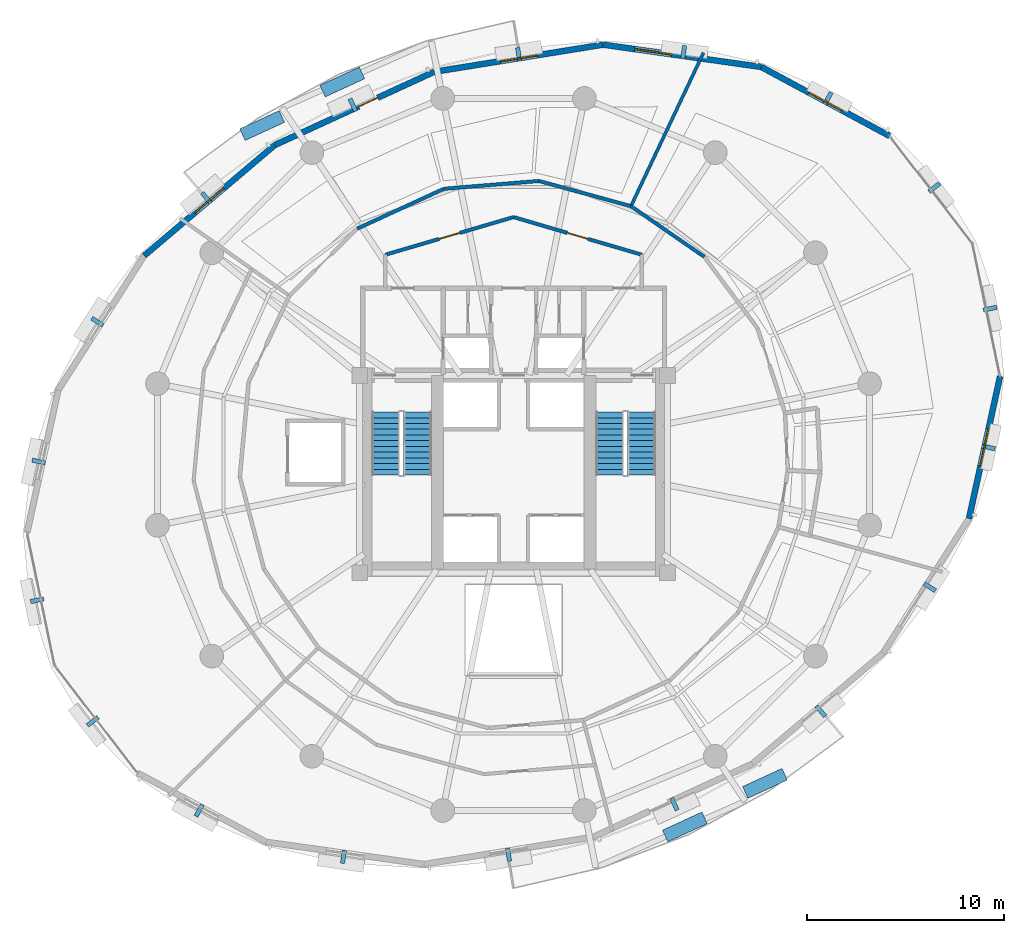
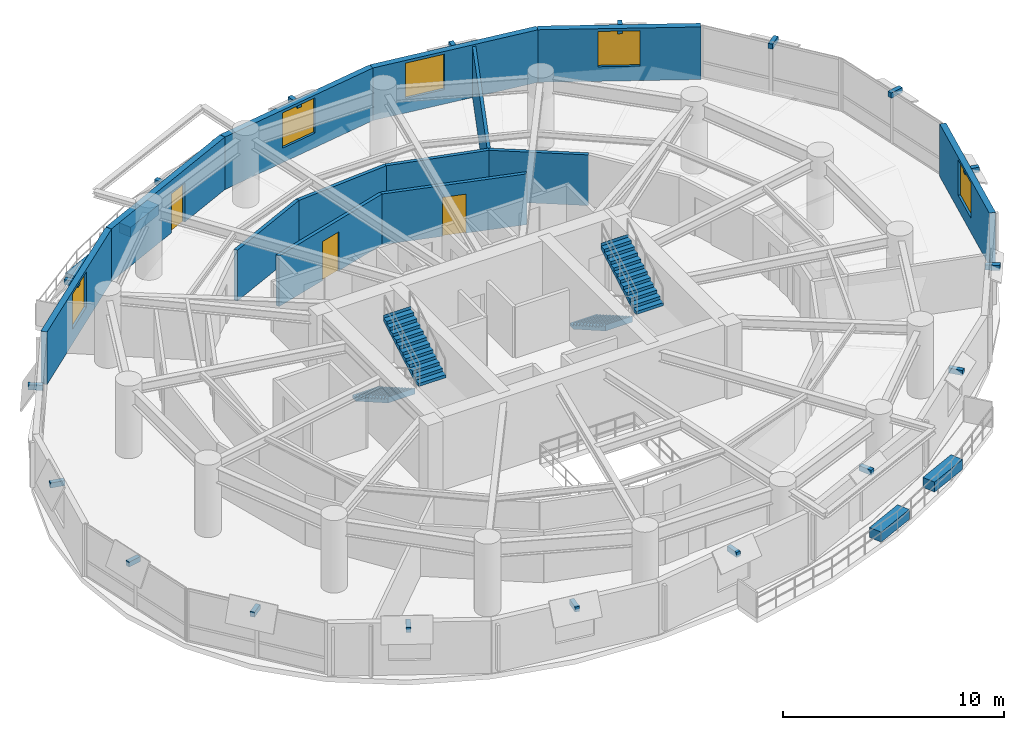
# One storey, part 12 of 14: 22 discrete accessories, 13 walls, 5 windows, 4 stair flights, 3 doors, 8 openings, 2 elements without a shape of their own.
"""IFC4 building model written with IfcOpenShell, lengths in metres."""

from ifc_helpers import new_model, si_unit, direction, frame, frame_2d, origin, origin_2d, place, context, subcontext, project, spatial, polyline, rectangle, outline, extrude, material, layer, layer_set, type_object, element, fill, aggregate, save


model = new_model("IFC4")

# Units and contexts
model_context = context("Model", 3, precision=1e-05, world=origin(), true_north=direction((0.0, 1.0)))
body_context = subcontext(model_context, "Body", "Model", "MODEL_VIEW")
ifc_project = project(units=[si_unit("LENGTHUNIT", "METRE"), si_unit("AREAUNIT", "SQUARE_METRE"), si_unit("VOLUMEUNIT", "CUBIC_METRE"), si_unit("PLANEANGLEUNIT", "RADIAN"), si_unit("MASSUNIT", "GRAM", prefix="KILO"), si_unit("THERMODYNAMICTEMPERATUREUNIT", "KELVIN"), si_unit("POWERUNIT", "WATT")], contexts=[model_context])

# Site, building, storey
site_placement = place(None, origin())
site = spatial("IfcSite", under=ifc_project, at=site_placement, CompositionType="ELEMENT")
building_placement = place(site_placement, origin())
building = spatial("IfcBuilding", under=site, at=building_placement, Name="Ocrelia Relay Tower", CompositionType="ELEMENT")
storey_placement = place(building_placement, frame((0.0, 0.0, 137.800048828125)))
storey = spatial("IfcBuildingStorey", under=building, at=storey_placement, Name="L32", CompositionType="ELEMENT", Elevation=137.800048828125)

# Wall, opening, door
ifc_material_1 = material(Name="Gypsum Fireboard Partition EI60", Category="gypsum")
ifc_layer_1 = layer(ifc_material_1, 0.179931640625, Name="Gypsum Fireboard Partition EI60")
ifc_layer_set_1 = layer_set([ifc_layer_1], Name="Gypsum Fireboard Partition EI60")
wall_type_1 = type_object("IfcWallType", Name="W-CORR-EI60-180", PredefinedType="PARTITIONING", material=ifc_layer_set_1)
wall_1_placement = place(storey_placement, frame((27.5, 36.122802734375, 0.0), z_axis=(0.0, 0.0, 1.0), x_axis=(0.959546654541, 0.281549671923, 0.0)))
wall_1 = element("IfcWall", 1, at=wall_1_placement, inside=storey, type_object=wall_type_1, Name="L32 North Smoke Lobby W Screen Wall", PredefinedType="PARTITIONING", context=body_context, shape_type="SweptSolid", body=[
    extrude(rectangle(XDim=6.77392578125, YDim=0.179931640625, at=frame_2d((3.386962890625, 0.0))), origin(), (0.0, 0.0, 1.0), 2.800048828125),
])
opening_1_placement = place(wall_1_placement, frame((2.8369140625, 0.0, 0.0)))
opening_1 = element("IfcOpeningElement", 2, at=opening_1_placement, cuts=wall_1, Name="Opening D-FD60", PredefinedType="OPENING", context=body_context, shape_type="SweptSolid", body=[
    extrude(rectangle(XDim=1.10009765625, YDim=2.14990234375, at=frame_2d((0.550048828125, 1.074951171875))), frame((0.0, 0.10009765625, 0.0), z_axis=(0.0, -1.0, 0.0), x_axis=(1.0, 0.0, 0.0)), (0.0, 0.0, 1.0), 0.199951171875),
])
ifc_material_2 = material(Name="Timber-core 60-min acoustic fire door", Category="wood")
door_type_1 = type_object("IfcDoorType", Name="DR-LOBBY-FD60-1100", OperationType="NOTDEFINED", PredefinedType="DOOR", material=ifc_material_2)
door_1_placement = place(opening_1_placement, origin())
door_1 = element("IfcDoor", 3, at=door_1_placement, inside=storey, type_object=door_type_1, Name="L32 North Smoke Lobby W Fire Door", OperationType="SINGLE_SWING_RIGHT", OverallHeight=2.14990234375, OverallWidth=1.10009765625, PredefinedType="DOOR", context=body_context, shape_type="SweptSolid", body=[
    extrude(rectangle(XDim=1.10009765625, YDim=2.14990234375, at=frame_2d((0.550048828125, 1.074951171875))), frame((0.0, 0.02490234375, 0.0), z_axis=(0.0, -1.0, 0.0), x_axis=(1.0, 0.0, 0.0)), (0.0, 0.0, 1.0), 0.050048828125),
])
fill(opening_1, door_1)

wall_2_placement = place(storey_placement, frame((34.0, 38.030029296875, 0.0), z_axis=(0.0, 0.0, 1.0), x_axis=(0.959546654541, -0.281549671923, 0.0)))
wall_2 = element("IfcWall", 4, at=wall_2_placement, inside=storey, type_object=wall_type_1, Name="L32 North Smoke Lobby E Screen Wall", PredefinedType="PARTITIONING", context=body_context, shape_type="SweptSolid", body=[
    extrude(rectangle(XDim=6.77392578125, YDim=0.179931640625, at=frame_2d((3.386962890625, 0.0))), origin(), (0.0, 0.0, 1.0), 2.800048828125),
])
opening_2_placement = place(wall_2_placement, frame((2.8369140625, 0.0, 0.0)))
opening_2 = element("IfcOpeningElement", 5, at=opening_2_placement, cuts=wall_2, Name="Opening D-FD60", PredefinedType="OPENING", context=body_context, shape_type="SweptSolid", body=[
    extrude(rectangle(XDim=1.10009765625, YDim=2.14990234375, at=frame_2d((0.550048828125, 1.074951171875))), frame((0.0, 0.10009765625, 0.0), z_axis=(0.0, -1.0, 0.0), x_axis=(1.0, 0.0, 0.0)), (0.0, 0.0, 1.0), 0.199951171875),
])
door_2_placement = place(opening_2_placement, origin())
door_2 = element("IfcDoor", 6, at=door_2_placement, inside=storey, type_object=door_type_1, Name="L32 North Smoke Lobby E Fire Door", OperationType="SINGLE_SWING_LEFT", OverallHeight=2.14990234375, OverallWidth=1.10009765625, PredefinedType="DOOR", context=body_context, shape_type="SweptSolid", body=[
    extrude(rectangle(XDim=1.10009765625, YDim=2.14990234375, at=frame_2d((0.550048828125, 1.074951171875))), frame((0.0, 0.02490234375, 0.0), z_axis=(0.0, -1.0, 0.0), x_axis=(1.0, 0.0, 0.0)), (0.0, 0.0, 1.0), 0.050048828125),
])
fill(opening_2, door_2)

# Walls
wall_3_placement = place(storey_placement, frame((43.663818359375, 36.018798828125, 0.0), z_axis=(0.0, 0.0, 1.0), x_axis=(-0.822820444468, 0.568301430726, 0.0)))
element("IfcWall", 7, at=wall_3_placement, inside=storey, type_object=wall_type_1, Name="L32 Shift Staff Lounge Corridor Partition 3", PredefinedType="PARTITIONING", context=body_context, shape_type="SweptSolid", body=[
    extrude(rectangle(XDim=4.51513671875, YDim=0.179931640625, at=frame_2d((2.257568359375, 0.0))), origin(), (0.0, 0.0, 1.0), 2.800048828125),
])
wall_4_placement = place(storey_placement, frame((39.94873046875, 38.584716796875, 0.0), z_axis=(0.0, 0.0, 1.0), x_axis=(-0.964543215503, 0.263924961737, 0.0)))
element("IfcWall", 8, at=wall_4_placement, inside=storey, type_object=wall_type_1, Name="L32 Optical Switching Hall A Corridor Partition 1", PredefinedType="PARTITIONING", context=body_context, shape_type="SweptSolid", body=[
    extrude(rectangle(XDim=4.834228515625, YDim=0.179931640625, at=frame_2d((2.4169921875, 0.0))), origin(), (0.0, 0.0, 1.0), 2.800048828125),
])
for number, where, z_axis, x_axis, name in (
    (9, (35.285888671875, 39.860595703125, 0.0), (0.0, 0.0, 1.0), (-0.996635375419, -0.081962970069, 0.0), "L32 Optical Switching Hall A Corridor Partition 2"),
    (10, (30.4677734375, 39.46435546875, 0.0), (0.0, 0.0, 1.0), (-0.90849812175, -0.417888935935, 0.0), "L32 Optical Switching Hall A Corridor Partition 3"),
):
    element("IfcWall", number, at=place(storey_placement, frame(where, z_axis=z_axis, x_axis=x_axis)), inside=storey, type_object=wall_type_1, Name=name, PredefinedType="PARTITIONING", context=body_context, shape_type="SweptSolid", body=[
        extrude(rectangle(XDim=4.83447265625, YDim=0.179931640625, at=frame_2d((2.417236328125, 0.0))), origin(), (0.0, 0.0, 1.0), 2.800048828125),
    ])

# Wall, opening, window
ifc_material_3 = material(Name="Precast concrete C40/50 with oxide terracotta", Category="masonry")
ifc_layer_2 = layer(ifc_material_3, 0.300048828125, Name="Precast concrete C40/50 with oxide terracotta")
ifc_layer_set_2 = layer_set([ifc_layer_2], Name="Precast concrete C40/50 with oxide terracotta")
wall_type_2 = type_object("IfcWallType", Name="W-EXT-TERR-300", PredefinedType="SOLIDWALL", material=ifc_layer_set_2)
wall_5_placement = place(storey_placement, frame((53.053955078125, 42.142578125, 0.0), z_axis=(0.0, 0.0, 1.0), x_axis=(-0.880640929012, 0.473784290736, 0.0)))
wall_5 = element("IfcWall", 11, at=wall_5_placement, inside=storey, type_object=wall_type_2, Name="L32 Oxide Terracotta Facade Wall 02", PredefinedType="SOLIDWALL", context=body_context, shape_type="SweptSolid", body=[
    extrude(rectangle(XDim=7.38330078125, YDim=0.300048828125, at=frame_2d((3.691650390625, 0.0))), origin(), (0.0, 0.0, 1.0), 2.89990234375),
])
opening_3_placement = place(wall_5_placement, frame((2.741943359375, 0.0, 0.800048828125)))
opening_3 = element("IfcOpeningElement", 12, at=opening_3_placement, cuts=wall_5, Name="Opening W-06", PredefinedType="OPENING", context=body_context, shape_type="SweptSolid", body=[
    extrude(rectangle(XDim=1.89990234375, YDim=1.949951171875, at=frame_2d((0.949951171875, 0.97509765625))), frame((0.0, 0.16015625, 0.0), z_axis=(0.0, -1.0, 0.0), x_axis=(1.0, 0.0, 0.0)), (0.0, 0.0, 1.0), 0.320068359375),
])
ifc_material_4 = material(Name="Clear double-glazed low-E glass", Category="glass")
window_type = type_object("IfcWindowType", Name="WIN-Z2-1900x2100", PartitioningType="DOUBLE_PANEL_VERTICAL", PredefinedType="WINDOW", material=ifc_material_4)
window_1_placement = place(opening_3_placement, origin())
window_1 = element("IfcWindow", 13, at=window_1_placement, inside=storey, type_object=window_type, Name="L32 Facade Module Window 02", OverallHeight=1.949951171875, OverallWidth=1.89990234375, PartitioningType="SINGLE_PANEL", PredefinedType="WINDOW", context=body_context, shape_type="SweptSolid", body=[
    extrude(rectangle(XDim=1.89990234375, YDim=1.949951171875, at=frame_2d((0.949951171875, 0.97509765625))), frame((0.0, 0.030029296875, 0.0), z_axis=(0.0, -1.0, 0.0), x_axis=(1.0, 0.0, 0.0)), (0.0, 0.0, 1.0), 0.06005859375),
])
fill(opening_3, window_1)

wall_6_placement = place(storey_placement, frame((46.552001953125, 45.640625, 0.0), z_axis=(0.0, 0.0, 1.0), x_axis=(-0.990224451803, 0.139483099518, 0.0)))
wall_6 = element("IfcWall", 14, at=wall_6_placement, inside=storey, type_object=wall_type_2, Name="L32 Oxide Terracotta Facade Wall 03", PredefinedType="SOLIDWALL", context=body_context, shape_type="SweptSolid", body=[
    extrude(rectangle(XDim=8.09521484375, YDim=0.300048828125, at=frame_2d((4.047607421875, 0.0))), origin(), (0.0, 0.0, 1.0), 2.89990234375),
])
opening_4_placement = place(wall_6_placement, frame((4.580078125, 0.0, 0.800048828125)))
opening_4 = element("IfcOpeningElement", 15, at=opening_4_placement, cuts=wall_6, Name="Opening W-06", PredefinedType="OPENING", context=body_context, shape_type="SweptSolid", body=[
    extrude(rectangle(XDim=1.89990234375, YDim=1.949951171875, at=frame_2d((0.949951171875, 0.97509765625))), frame((0.0, 0.16015625, 0.0), z_axis=(0.0, -1.0, 0.0), x_axis=(1.0, 0.0, 0.0)), (0.0, 0.0, 1.0), 0.320068359375),
])
window_2_placement = place(opening_4_placement, origin())
window_2 = element("IfcWindow", 16, at=window_2_placement, inside=storey, type_object=window_type, Name="L32 Facade Module Window 03", OverallHeight=1.949951171875, OverallWidth=1.89990234375, PartitioningType="SINGLE_PANEL", PredefinedType="WINDOW", context=body_context, shape_type="SweptSolid", body=[
    extrude(rectangle(XDim=1.89990234375, YDim=1.949951171875, at=frame_2d((0.949951171875, 0.97509765625))), frame((0.0, 0.030029296875, 0.0), z_axis=(0.0, -1.0, 0.0), x_axis=(1.0, 0.0, 0.0)), (0.0, 0.0, 1.0), 0.06005859375),
])
fill(opening_4, window_2)

wall_7_placement = place(storey_placement, frame((38.535888671875, 46.769775390625, 0.0), z_axis=(0.0, 0.0, 1.0), x_axis=(-0.987334308652, -0.158653594217, 0.0)))
wall_7 = element("IfcWall", 17, at=wall_7_placement, inside=storey, type_object=wall_type_2, Name="L32 Oxide Terracotta Facade Wall 04", PredefinedType="SOLIDWALL", context=body_context, shape_type="SweptSolid", body=[
    extrude(rectangle(XDim=8.6728515625, YDim=0.300048828125, at=frame_2d((4.33642578125, 0.0))), origin(), (0.0, 0.0, 1.0), 2.89990234375),
])
opening_5_placement = place(wall_7_placement, frame((3.385986328125, 0.0, 0.800048828125)))
opening_5 = element("IfcOpeningElement", 18, at=opening_5_placement, cuts=wall_7, Name="Opening W-06", PredefinedType="OPENING", context=body_context, shape_type="SweptSolid", body=[
    extrude(rectangle(XDim=1.89990234375, YDim=1.949951171875, at=frame_2d((0.949951171875, 0.97509765625))), frame((0.0, 0.16015625, 0.0), z_axis=(0.0, -1.0, 0.0), x_axis=(1.0, 0.0, 0.0)), (0.0, 0.0, 1.0), 0.320068359375),
])
window_3_placement = place(opening_5_placement, origin())
window_3 = element("IfcWindow", 19, at=window_3_placement, inside=storey, type_object=window_type, Name="L32 Facade Module Window 04", OverallHeight=1.949951171875, OverallWidth=1.89990234375, PartitioningType="SINGLE_PANEL", PredefinedType="WINDOW", context=body_context, shape_type="SweptSolid", body=[
    extrude(rectangle(XDim=1.89990234375, YDim=1.949951171875, at=frame_2d((0.949951171875, 0.97509765625))), frame((0.0, 0.030029296875, 0.0), z_axis=(0.0, -1.0, 0.0), x_axis=(1.0, 0.0, 0.0)), (0.0, 0.0, 1.0), 0.06005859375),
])
fill(opening_5, window_3)

# Wall, opening, door
wall_8_placement = place(storey_placement, frame((29.972900390625, 45.393798828125, 0.0), z_axis=(0.0, 0.0, 1.0), x_axis=(-0.908512345051, -0.417858012835, 0.0)))
wall_8 = element("IfcWall", 20, at=wall_8_placement, inside=storey, type_object=wall_type_2, Name="L32 Oxide Terracotta Facade Wall 05", PredefinedType="SOLIDWALL", context=body_context, shape_type="SweptSolid", body=[
    extrude(rectangle(XDim=8.890869140625, YDim=0.300048828125, at=frame_2d((4.4453125, 0.0))), origin(), (0.0, 0.0, 1.0), 2.89990234375),
])
opening_6_placement = place(wall_8_placement, frame((3.14990234375, 0.0, 0.0)))
opening_6 = element("IfcOpeningElement", 21, at=opening_6_placement, cuts=wall_8, Name="Opening DB-105", PredefinedType="OPENING", context=body_context, shape_type="SweptSolid", body=[
    extrude(rectangle(XDim=1.050048828125, YDim=2.14990234375, at=frame_2d((0.52490234375, 1.074951171875))), frame((0.0, 0.16015625, 0.0), z_axis=(0.0, -1.0, 0.0), x_axis=(1.0, 0.0, 0.0)), (0.0, 0.0, 1.0), 0.320068359375),
])
ifc_material_5 = material(Name="Thermally broken aluminium and clear glass", Category="aluminium")
door_type_2 = type_object("IfcDoorType", Name="DR-BALC-1050", OperationType="NOTDEFINED", PredefinedType="DOOR", material=ifc_material_5)
door_3_placement = place(opening_6_placement, origin())
door_3 = element("IfcDoor", 22, at=door_3_placement, inside=storey, type_object=door_type_2, Name="L32 Planted Loggia Balcony Door B1", OperationType="SINGLE_SWING_LEFT", OverallHeight=2.14990234375, OverallWidth=1.050048828125, PredefinedType="DOOR", context=body_context, shape_type="SweptSolid", body=[
    extrude(rectangle(XDim=1.050048828125, YDim=2.14990234375, at=frame_2d((0.52490234375, 1.074951171875))), frame((0.0, 0.02490234375, 0.0), z_axis=(0.0, -1.0, 0.0), x_axis=(1.0, 0.0, 0.0)), (0.0, 0.0, 1.0), 0.050048828125),
])
fill(opening_6, door_3)

# Wall, opening, window
wall_9_placement = place(storey_placement, frame((21.8955078125, 41.6787109375, 0.0), z_axis=(0.0, 0.0, 1.0), x_axis=(-0.762985724951, -0.646415333606, 0.0)))
wall_9 = element("IfcWall", 23, at=wall_9_placement, inside=storey, type_object=wall_type_2, Name="L32 Oxide Terracotta Facade Wall 06", PredefinedType="SOLIDWALL", context=body_context, shape_type="SweptSolid", body=[
    extrude(rectangle(XDim=8.6728515625, YDim=0.300048828125, at=frame_2d((4.33642578125, 0.0))), origin(), (0.0, 0.0, 1.0), 2.89990234375),
])
opening_7_placement = place(wall_9_placement, frame((3.385986328125, 0.0, 0.800048828125)))
opening_7 = element("IfcOpeningElement", 24, at=opening_7_placement, cuts=wall_9, Name="Opening W-06", PredefinedType="OPENING", context=body_context, shape_type="SweptSolid", body=[
    extrude(rectangle(XDim=1.89990234375, YDim=1.949951171875, at=frame_2d((0.949951171875, 0.97509765625))), frame((0.0, 0.16015625, 0.0), z_axis=(0.0, -1.0, 0.0), x_axis=(1.0, 0.0, 0.0)), (0.0, 0.0, 1.0), 0.320068359375),
])
window_4_placement = place(opening_7_placement, origin())
window_4 = element("IfcWindow", 25, at=window_4_placement, inside=storey, type_object=window_type, Name="L32 Facade Module Window 06", OverallHeight=1.949951171875, OverallWidth=1.89990234375, PartitioningType="SINGLE_PANEL", PredefinedType="WINDOW", context=body_context, shape_type="SweptSolid", body=[
    extrude(rectangle(XDim=1.89990234375, YDim=1.949951171875, at=frame_2d((0.949951171875, 0.97509765625))), frame((0.0, 0.030029296875, 0.0), z_axis=(0.0, -1.0, 0.0), x_axis=(1.0, 0.0, 0.0)), (0.0, 0.0, 1.0), 0.06005859375),
])
fill(opening_7, window_4)

wall_10_placement = place(storey_placement, frame((57.0810546875, 22.748779296875, 0.0), z_axis=(0.0, 0.0, 1.0), x_axis=(0.213382283, 0.976968782153, 0.0)))
wall_10 = element("IfcWall", 26, at=wall_10_placement, inside=storey, type_object=wall_type_2, Name="L32 Oxide Terracotta Facade Wall 17", PredefinedType="SOLIDWALL", context=body_context, shape_type="SweptSolid", body=[
    extrude(rectangle(XDim=7.383056640625, YDim=0.300048828125, at=frame_2d((3.69140625, 0.0))), origin(), (0.0, 0.0, 1.0), 2.89990234375),
])
opening_8_placement = place(wall_10_placement, frame((2.741943359375, 0.0, 0.800048828125)))
opening_8 = element("IfcOpeningElement", 27, at=opening_8_placement, cuts=wall_10, Name="Opening W-06", PredefinedType="OPENING", context=body_context, shape_type="SweptSolid", body=[
    extrude(rectangle(XDim=1.89990234375, YDim=1.949951171875, at=frame_2d((0.949951171875, 0.97509765625))), frame((0.0, 0.16015625, 0.0), z_axis=(0.0, -1.0, 0.0), x_axis=(1.0, 0.0, 0.0)), (0.0, 0.0, 1.0), 0.320068359375),
])
window_5_placement = place(opening_8_placement, origin())
window_5 = element("IfcWindow", 28, at=window_5_placement, inside=storey, type_object=window_type, Name="L32 Facade Module Window 17", OverallHeight=1.949951171875, OverallWidth=1.89990234375, PartitioningType="SINGLE_PANEL", PredefinedType="WINDOW", context=body_context, shape_type="SweptSolid", body=[
    extrude(rectangle(XDim=1.89990234375, YDim=1.949951171875, at=frame_2d((0.949951171875, 0.97509765625))), frame((0.0, 0.030029296875, 0.0), z_axis=(0.0, -1.0, 0.0), x_axis=(1.0, 0.0, 0.0)), (0.0, 0.0, 1.0), 0.06005859375),
])
fill(opening_8, window_5)

# Wall
ifc_material_6 = material(Name="Acoustic Fireboard Partition EI60", Category="gypsum")
ifc_layer_3 = layer(ifc_material_6, 0.159912109375, Name="Acoustic Fireboard Partition EI60")
ifc_layer_set_3 = layer_set([ifc_layer_3], Name="Acoustic Fireboard Partition EI60")
wall_type_3 = type_object("IfcWallType", Name="W-PART-160", PredefinedType="PARTITIONING", material=ifc_layer_set_3)
wall_11_placement = place(storey_placement, frame((39.94873046875, 38.584716796875, 0.0), z_axis=(0.0, 0.0, 1.0), x_axis=(0.427369076024, 0.904077249387, 0.0)))
element("IfcWall", 29, at=wall_11_placement, inside=storey, type_object=wall_type_3, Name="L32 Shift Staff Lounge Radial Partition", PredefinedType="PARTITIONING", context=body_context, shape_type="SweptSolid", body=[
    extrude(rectangle(XDim=8.60498046875, YDim=0.159912109375, at=frame_2d((4.302490234375, 0.0))), origin(), (0.0, 0.0, 1.0), 2.800048828125),
])

# Stair, stair flights
ifc_material_7 = material(Name="Concrete C50/60", Category="concrete")
stair_type = type_object("IfcStairType", Name="ST-DL-1420-R167", PredefinedType="HALF_TURN_STAIR", material=ifc_material_7)
stair_1_placement = place(storey_placement, origin())
stair_1 = element("IfcStair", 30, at=stair_1_placement, inside=storey, type_object=stair_type, Name="L32 West Core Exit Stair ST1", PredefinedType="HALF_TURN_STAIR")
stair_flight_type = type_object("IfcStairFlightType", Name="STF-DL-1420-R167", PredefinedType="STRAIGHT", material=ifc_material_7)
stair_flight_1_placement = place(storey_placement, frame((27.52001953125, 28.14990234375, 0.0), z_axis=(0.0, 0.0, 1.0), x_axis=(0.0, -1.0, 0.0)))
stair_flight_1 = element("IfcStairFlight", 31, at=stair_flight_1_placement, type_object=stair_flight_type, Name="ST1 flight 1", NumberOfRisers=12, NumberOfTreads=11, PredefinedType="STRAIGHT", RiserHeight=0.166666667, TreadLength=0.29, context=body_context, shape_type="SweptSolid", body=[
    extrude(outline(polyline([(-0.008056640625, 0.0), (-0.008056640625, 0.166748046875), (0.0, 0.166748046875), (0.2900390625, 0.166748046875), (0.2900390625, 0.333251953125), (0.580078125, 0.333251953125), (0.580078125, 0.5), (0.8701171875, 0.5), (0.8701171875, 0.666748046875), (1.159912109375, 0.666748046875), (1.159912109375, 0.833251953125), (1.449951171875, 0.833251953125), (1.449951171875, 1.0), (1.739990234375, 1.0), (1.739990234375, 1.166748046875), (2.030029296875, 1.166748046875), (2.030029296875, 1.333251953125), (2.320068359375, 1.333251953125), (2.320068359375, 1.5), (2.610107421875, 1.5), (2.610107421875, 1.666748046875), (2.89990234375, 1.666748046875), (2.89990234375, 1.833251953125), (3.18994140625, 1.833251953125), (3.18994140625, 2.0), (3.197998046875, 2.0), (3.197998046875, 1.660400390625), (0.30078125, 0.0), (-0.008056640625, 0.0)])), frame((0.0, 0.7099609375, 0.0), z_axis=(0.0, -1.0, 0.0), x_axis=(1.0, 0.0, 0.0)), (0.0, 0.0, 1.0), 1.419921875),
])
stair_flight_2_placement = place(storey_placement, frame((29.139892578125, 24.9599609375, 2.0), z_axis=(0.0, 0.0, 1.0), x_axis=(0.0, 1.0, 0.0)))
stair_flight_2 = element("IfcStairFlight", 32, at=stair_flight_2_placement, type_object=stair_flight_type, Name="ST1 flight 2", NumberOfRisers=12, NumberOfTreads=11, PredefinedType="STRAIGHT", RiserHeight=0.166666667, TreadLength=0.29, context=body_context, shape_type="SweptSolid", body=[
    extrude(outline(polyline([(-0.008056640625, 0.0), (-0.008056640625, 0.166748046875), (0.0, 0.166748046875), (0.2900390625, 0.166748046875), (0.2900390625, 0.333251953125), (0.580078125, 0.333251953125), (0.580078125, 0.5), (0.8701171875, 0.5), (0.8701171875, 0.666748046875), (1.159912109375, 0.666748046875), (1.159912109375, 0.833251953125), (1.449951171875, 0.833251953125), (1.449951171875, 1.0), (1.739990234375, 1.0), (1.739990234375, 1.166748046875), (2.030029296875, 1.166748046875), (2.030029296875, 1.333251953125), (2.320068359375, 1.333251953125), (2.320068359375, 1.5), (2.610107421875, 1.5), (2.610107421875, 1.666748046875), (2.89990234375, 1.666748046875), (2.89990234375, 1.833251953125), (3.18994140625, 1.833251953125), (3.18994140625, 2.0), (3.197998046875, 2.0), (3.197998046875, 1.660400390625), (0.30078125, 0.0), (-0.008056640625, 0.0)])), frame((0.0, 0.7099609375, 0.0), z_axis=(0.0, -1.0, 0.0), x_axis=(1.0, 0.0, 0.0)), (0.0, 0.0, 1.0), 1.419921875),
])
aggregate(stair_1, [stair_flight_1, stair_flight_2])

stair_2_placement = place(storey_placement, origin())
stair_2 = element("IfcStair", 33, at=stair_2_placement, inside=storey, type_object=stair_type, Name="L32 East Core Exit Stair ST2", PredefinedType="HALF_TURN_STAIR")
stair_flight_3_placement = place(storey_placement, frame((38.8701171875, 28.14990234375, 0.0), z_axis=(0.0, 0.0, 1.0), x_axis=(0.0, -1.0, 0.0)))
stair_flight_3 = element("IfcStairFlight", 34, at=stair_flight_3_placement, type_object=stair_flight_type, Name="ST2 flight 1", NumberOfRisers=12, NumberOfTreads=11, PredefinedType="STRAIGHT", RiserHeight=0.166666667, TreadLength=0.29, context=body_context, shape_type="SweptSolid", body=[
    extrude(outline(polyline([(-0.008056640625, 0.0), (-0.008056640625, 0.166748046875), (0.0, 0.166748046875), (0.2900390625, 0.166748046875), (0.2900390625, 0.333251953125), (0.580078125, 0.333251953125), (0.580078125, 0.5), (0.8701171875, 0.5), (0.8701171875, 0.666748046875), (1.159912109375, 0.666748046875), (1.159912109375, 0.833251953125), (1.449951171875, 0.833251953125), (1.449951171875, 1.0), (1.739990234375, 1.0), (1.739990234375, 1.166748046875), (2.030029296875, 1.166748046875), (2.030029296875, 1.333251953125), (2.320068359375, 1.333251953125), (2.320068359375, 1.5), (2.610107421875, 1.5), (2.610107421875, 1.666748046875), (2.89990234375, 1.666748046875), (2.89990234375, 1.833251953125), (3.18994140625, 1.833251953125), (3.18994140625, 2.0), (3.197998046875, 2.0), (3.197998046875, 1.660400390625), (0.30078125, 0.0), (-0.008056640625, 0.0)])), frame((0.0, 0.7099609375, 0.0), z_axis=(0.0, -1.0, 0.0), x_axis=(1.0, 0.0, 0.0)), (0.0, 0.0, 1.0), 1.419921875),
])
stair_flight_4_placement = place(storey_placement, frame((40.489990234375, 24.9599609375, 2.0), z_axis=(0.0, 0.0, 1.0), x_axis=(0.0, 1.0, 0.0)))
stair_flight_4 = element("IfcStairFlight", 35, at=stair_flight_4_placement, type_object=stair_flight_type, Name="ST2 flight 2", NumberOfRisers=12, NumberOfTreads=11, PredefinedType="STRAIGHT", RiserHeight=0.166666667, TreadLength=0.29, context=body_context, shape_type="SweptSolid", body=[
    extrude(outline(polyline([(-0.008056640625, 0.0), (-0.008056640625, 0.166748046875), (0.0, 0.166748046875), (0.2900390625, 0.166748046875), (0.2900390625, 0.333251953125), (0.580078125, 0.333251953125), (0.580078125, 0.5), (0.8701171875, 0.5), (0.8701171875, 0.666748046875), (1.159912109375, 0.666748046875), (1.159912109375, 0.833251953125), (1.449951171875, 0.833251953125), (1.449951171875, 1.0), (1.739990234375, 1.0), (1.739990234375, 1.166748046875), (2.030029296875, 1.166748046875), (2.030029296875, 1.333251953125), (2.320068359375, 1.333251953125), (2.320068359375, 1.5), (2.610107421875, 1.5), (2.610107421875, 1.666748046875), (2.89990234375, 1.666748046875), (2.89990234375, 1.833251953125), (3.18994140625, 1.833251953125), (3.18994140625, 2.0), (3.197998046875, 2.0), (3.197998046875, 1.660400390625), (0.30078125, 0.0), (-0.008056640625, 0.0)])), frame((0.0, 0.7099609375, 0.0), z_axis=(0.0, -1.0, 0.0), x_axis=(1.0, 0.0, 0.0)), (0.0, 0.0, 1.0), 1.419921875),
])
aggregate(stair_2, [stair_flight_3, stair_flight_4])

# Discrete accessories
ifc_material_8 = material(Name="Precast concrete C40/50 planter with highland greenery", Category="concrete")
discrete_accessory_type_1 = type_object("IfcDiscreteAccessoryType", Name="ACC-BALC-PLANTER", PredefinedType="USERDEFINED", material=ifc_material_8)
for number, where, z_axis, x_axis, name in (
    (36, (25.31787109375, 44.87646484375, 0.0), (0.0, 0.0, 1.0), (0.908509306475, 0.417864619283, 0.0), "L32 Balcony Terracotta Planter with Greenery B1"),
    (37, (21.257568359375, 42.668212890625, 0.0), (0.0, 0.0, 1.0), (0.908509306475, 0.417864619283, 0.0), "L32 Balcony Terracotta Planter B1-2"),
    (38, (42.68212890625, 7.12353515625, 0.0), (0.0, 0.0, 1.0), (-0.908509306475, -0.417864619283, 0.0), "L32 Balcony Terracotta Planter with Greenery B2"),
    (39, (46.742431640625, 9.331787109375, 0.0), (0.0, 0.0, 1.0), (-0.908509306475, -0.417864619283, 0.0), "L32 Balcony Terracotta Planter B2-2"),
):
    element("IfcDiscreteAccessory", number, at=place(storey_placement, frame(where, z_axis=z_axis, x_axis=x_axis)), inside=storey, type_object=discrete_accessory_type_1, Name=name, ObjectType="PLANTER", PredefinedType="USERDEFINED", context=body_context, shape_type="SweptSolid", body=[
        extrude(rectangle(XDim=2.199951171875, YDim=0.64990234375, at=origin_2d()), origin(), (0.0, 0.0, 1.0), 0.550048828125),
    ])
ifc_material_9 = material(Name="Steel S355", Category="steel")
discrete_accessory_type_2 = type_object("IfcDiscreteAccessoryType", Name="ACC-VISOR-BRACKET", PredefinedType="BRACKET", material=ifc_material_9)
for number, where, z_axis, x_axis, name in (
    (40, (55.32470703125, 39.527099609375, 2.60009765625), (0.0, 0.0, 1.0), (-0.611103634519, 0.791550597168, 0.0), "L32 Visor Mounting Bracket 01"),
    (41, (49.935302734375, 44.04150390625, 2.60009765625), (0.0, 0.0, 1.0), (-0.880639352003, 0.473787221972, 0.0), "L32 Visor Mounting Bracket 02"),
    (42, (42.621826171875, 46.389404296875, 2.60009765625), (0.0, 0.0, 1.0), (-0.990223333079, 0.139491041381, 0.0), "L32 Visor Mounting Bracket 03"),
    (43, (34.257080078125, 46.28173828125, 2.60009765625), (0.0, 0.0, 1.0), (-0.987334209575, -0.158654210793, 0.0), "L32 Visor Mounting Bracket 04"),
    (44, (25.8505859375, 43.718017578125, 2.60009765625), (0.0, 0.0, 1.0), (-0.908510009821, -0.417863090084, 0.0), "L32 Visor Mounting Bracket 05"),
    (45, (18.433349609375, 39.00390625, 2.60009765625), (0.0, 0.0, 1.0), (-0.762990342849, -0.646409882907, 0.0), "L32 Visor Mounting Bracket 06"),
    (46, (12.907958984375, 32.72265625, 2.60009765625), (0.0, 0.0, 1.0), (-0.538509892269, -0.842619187966, 0.0), "L32 Visor Mounting Bracket 07"),
    (47, (9.931396484375, 25.6416015625, 2.60009765625), (0.0, 0.0, 1.0), (-0.213359589922, -0.976973738331, 0.0), "L32 Visor Mounting Bracket 08"),
    (48, (9.851806640625, 18.61181640625, 2.60009765625), (0.0, 0.0, 1.0), (0.203312170747, -0.979113967435, 0.0), "L32 Visor Mounting Bracket 09"),
    (49, (12.67529296875, 12.472900390625, 2.60009765625), (0.0, 0.0, 1.0), (0.611103634519, -0.791550597168, 0.0), "L32 Visor Mounting Bracket 10"),
    (50, (18.064697265625, 7.95849609375, 2.60009765625), (0.0, 0.0, 1.0), (0.880639352003, -0.473787221972, 0.0), "L32 Visor Mounting Bracket 11"),
    (51, (25.378173828125, 5.610595703125, 2.60009765625), (0.0, 0.0, 1.0), (0.990223333079, -0.139491041381, 0.0), "L32 Visor Mounting Bracket 12"),
    (52, (33.742919921875, 5.71826171875, 2.60009765625), (0.0, 0.0, 1.0), (0.987334209575, 0.158654210793, 0.0), "L32 Visor Mounting Bracket 13"),
    (53, (42.1494140625, 8.281982421875, 2.60009765625), (0.0, 0.0, 1.0), (0.908510009821, 0.417863090084, 0.0), "L32 Visor Mounting Bracket 14"),
    (54, (49.566650390625, 12.99609375, 2.60009765625), (0.0, 0.0, 1.0), (0.762990342849, 0.646409882907, 0.0), "L32 Visor Mounting Bracket 15"),
    (55, (55.092041015625, 19.27734375, 2.60009765625), (0.0, 0.0, 1.0), (0.538509892269, 0.842619187966, 0.0), "L32 Visor Mounting Bracket 16"),
    (56, (58.068603515625, 26.3583984375, 2.60009765625), (0.0, 0.0, 1.0), (0.213359589922, 0.976973738331, 0.0), "L32 Visor Mounting Bracket 17"),
    (57, (58.148193359375, 33.38818359375, 2.60009765625), (0.0, 0.0, 1.0), (-0.203312170747, 0.979113967435, 0.0), "L32 Visor Mounting Bracket 18"),
):
    element("IfcDiscreteAccessory", number, at=place(storey_placement, frame(where, z_axis=z_axis, x_axis=x_axis)), inside=storey, type_object=discrete_accessory_type_2, Name=name, PredefinedType="BRACKET", context=body_context, shape_type="SweptSolid", body=[
        extrude(rectangle(XDim=0.219970703125, YDim=0.679931640625, at=origin_2d()), origin(), (0.0, 0.0, 1.0), 0.280029296875),
    ])

save(model, "model.ifc")
